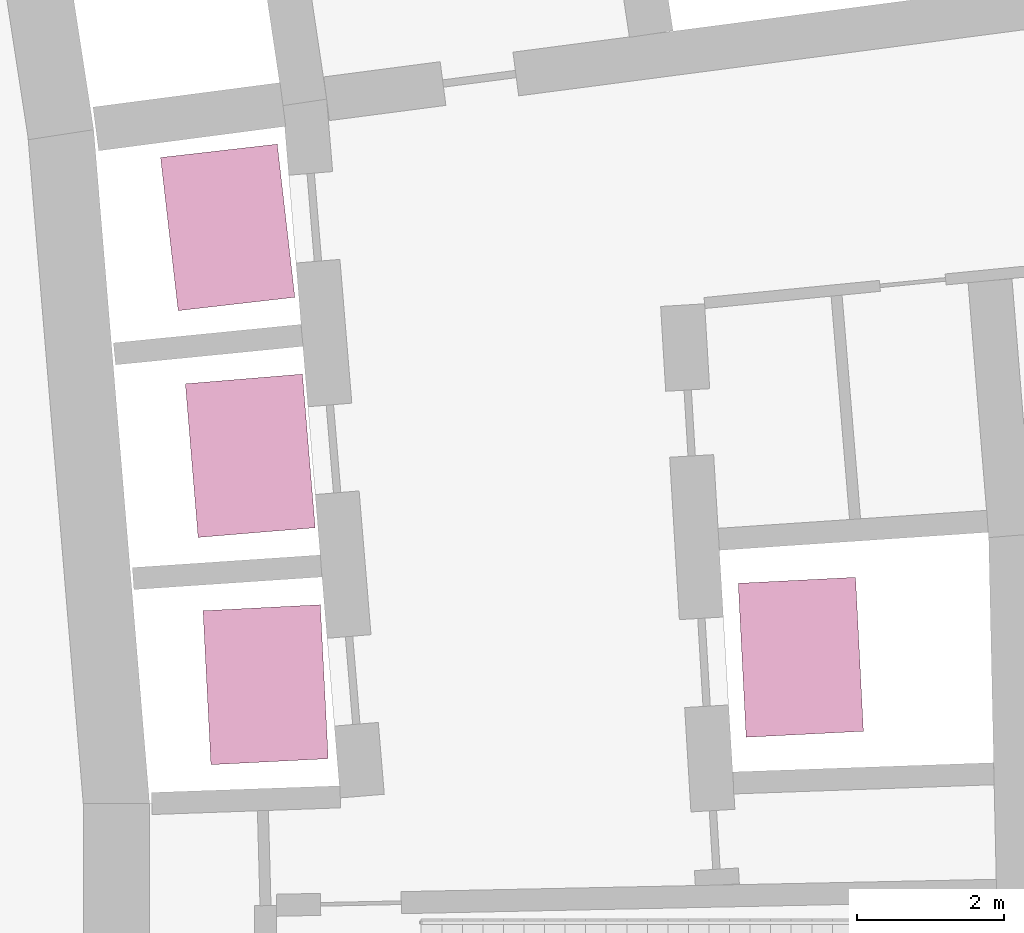
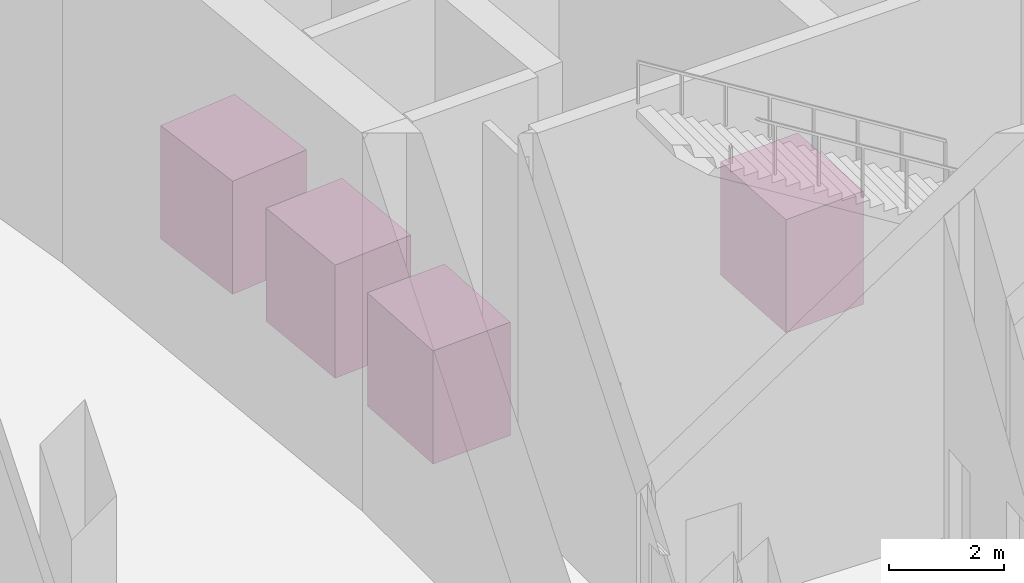
# One storey, part 33 of 33: 4 transport elements.
"""IFC4 building model written with IfcOpenShell, lengths in metres."""

from ifc_helpers import new_model, si_unit, direction, frame, origin, origin_2d, place, context, subcontext, project, spatial, rectangle, extrude, material, type_object, element, save


model = new_model("IFC4")

# Units and contexts
model_context = context("Model", 3, precision=1e-05, world=origin(), true_north=direction((0.0, 1.0)))
body_context = subcontext(model_context, "Body", "Model", "MODEL_VIEW")
ifc_project = project(units=[si_unit("LENGTHUNIT", "METRE"), si_unit("AREAUNIT", "SQUARE_METRE"), si_unit("VOLUMEUNIT", "CUBIC_METRE"), si_unit("PLANEANGLEUNIT", "RADIAN"), si_unit("MASSUNIT", "GRAM", prefix="KILO")], contexts=[model_context])

# Site, building, storey
site_placement = place(None, origin())
site = spatial("IfcSite", under=ifc_project, at=site_placement, CompositionType="ELEMENT")
building_placement = place(site_placement, origin())
building = spatial("IfcBuilding", under=site, at=building_placement, Name="Alderwake Tower", CompositionType="ELEMENT")
storey_placement = place(building_placement, origin())
storey = spatial("IfcBuildingStorey", under=building, at=storey_placement, Name="L00", CompositionType="ELEMENT", Elevation=0.0)

# Transport elements
ifc_material = material(Name="Stainless steel lift car", Category="steel")
transport_element_type = type_object("IfcTransportElementType", Name="Passenger lift car 2100 x 1600", PredefinedType="ELEVATOR", material=ifc_material)
for number, where, z_axis, x_axis, name in (
    (1, (18.92041015625, 66.065185546875, 0.050048828125), (0.0, 0.0, 1.0), (0.998689605528, 0.051176867922, 0.0), "SH1"),
    (2, (18.711181640625, 69.183837890625, 0.050048828125), (0.0, 0.0, 1.0), (0.996582247273, 0.082606442965, 0.0), "SH2"),
    (3, (18.404052734375, 72.29443359375, 0.050048828125), (0.0, 0.0, 1.0), (0.993474878733, 0.114051152238, 0.0), "SH3"),
    (4, (26.210693359375, 66.438720703125, 0.050048828125), (0.0, 0.0, 1.0), (0.998689605528, 0.051176867922, 0.0), "SH4"),
):
    element("IfcTransportElement", number, at=place(storey_placement, frame(where, z_axis=z_axis, x_axis=x_axis)), inside=storey, type_object=transport_element_type, Name=name, PredefinedType="ELEVATOR", context=body_context, shape_type="SweptSolid", body=[
        extrude(rectangle(XDim=1.60009765625, YDim=2.10009765625, at=origin_2d()), origin(), (0.0, 0.0, 1.0), 2.39990234375),
    ])

save(model, "model.ifc")
